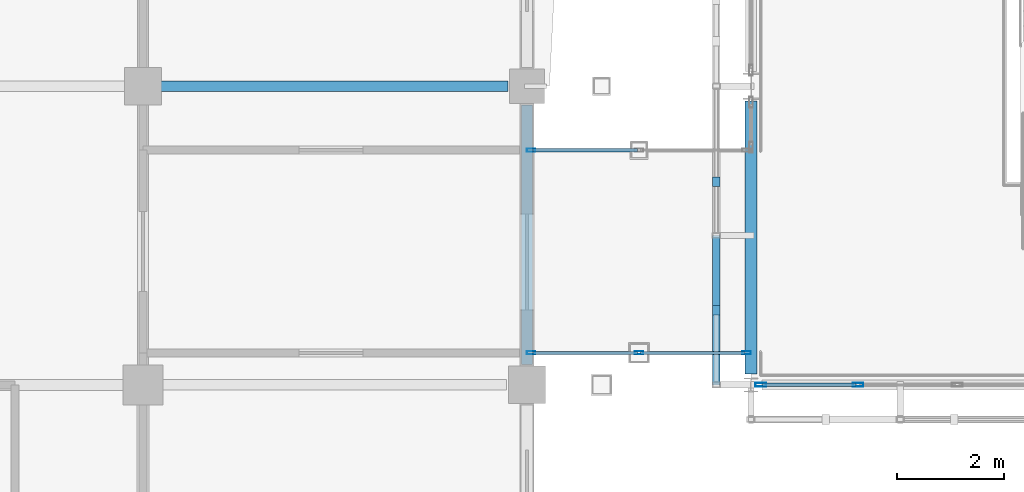
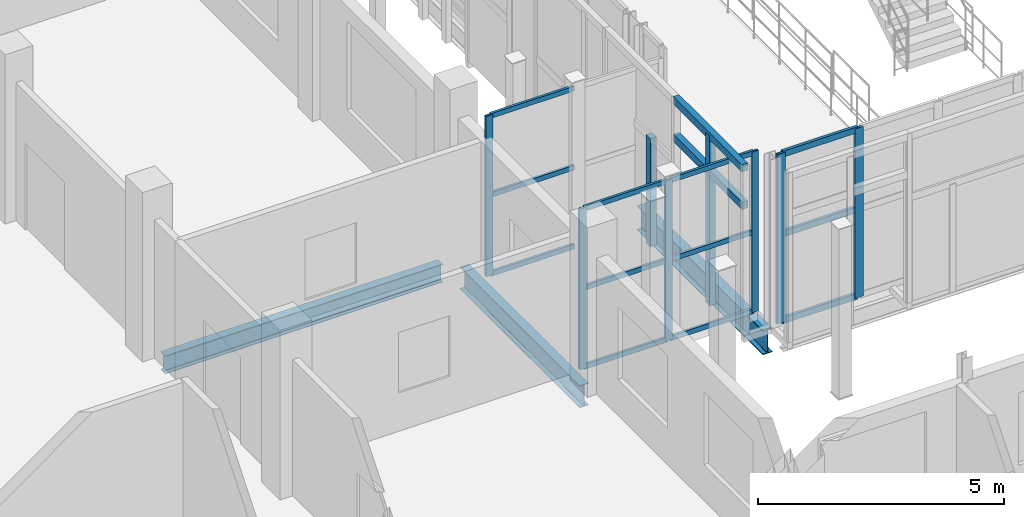
# One storey, part 29 of 121: 22 members, 3 beams, 3 elements without a shape of their own.
"""IFC4 building model written with IfcOpenShell, lengths in metres."""

import ifcopenshell
import ifcopenshell.guid

model = None  # the IFC model being written
_history = None  # IfcOwnerHistory: only IFC2X3 demands one
_inside = {}  # id of a spatial element -> (the spatial element, [elements in it])
_under = {}  # id of a project, library or spatial element -> (it, [spatial elements below it])
_declared = {}  # id of a project -> (the project, [libraries it declares])
_typed = {}  # id of a type object -> (the type object, [elements of that type])
_made_of = {}  # id of a material, layer set ... -> (it, [elements and type objects made of it])


def new_model(schema):
    """Start an empty IFC model of exactly this schema.

    Asked for "IFC4X3", IfcOpenShell would pick the latest addendum, in which some entities
    have other attributes; the version numbers below select the first issue.
    IFC2X3 requires an IfcOwnerHistory on every rooted entity: one is made here for all.
    """
    global model, _history
    if schema == "IFC4X3":
        model = ifcopenshell.file(schema_version=(4, 3, 0, 0))
    else:
        model = ifcopenshell.file(schema=schema)
    _inside.clear()
    _under.clear()
    _declared.clear()
    _typed.clear()
    _made_of.clear()
    _history = None
    if model.schema == "IFC2X3":
        org = make("IfcOrganization", Name="unknown")
        user = make(
            "IfcPersonAndOrganization",
            ThePerson=make("IfcPerson", FamilyName="unknown"),
            TheOrganization=org,
        )
        app = make(
            "IfcApplication",
            ApplicationDeveloper=org,
            Version="unknown",
            ApplicationFullName="unknown",
            ApplicationIdentifier="unknown",
        )
        _history = make(
            "IfcOwnerHistory",
            OwningUser=user,
            OwningApplication=app,
            ChangeAction="ADDED",
            CreationDate=0,
        )
    return model


def make(cls, **values):
    """One entity of the class cls with the attributes given. An attribute that is None is left unset."""
    return model.create_entity(
        cls, **{name: value for name, value in values.items() if value is not None}
    )


def rooted(cls, **values):
    """An entity with a GlobalId (a new one), such as an element, a storey or a relation."""
    return make(cls, GlobalId=ifcopenshell.guid.new(), OwnerHistory=_history, **values)


def si_unit(unit_type, name, prefix=None):
    """IfcSIUnit, for example si_unit("LENGTHUNIT", "METRE", prefix="MILLI")."""
    return make("IfcSIUnit", UnitType=unit_type, Prefix=prefix, Name=name)


def assignment(units):
    """IfcUnitAssignment: the units of a project."""
    return None if units is None else make("IfcUnitAssignment", Units=units)


def point(xyz):
    """IfcCartesianPoint."""
    return None if xyz is None else make("IfcCartesianPoint", Coordinates=xyz)


def direction(xyz):
    """IfcDirection."""
    return None if xyz is None else make("IfcDirection", DirectionRatios=xyz)


def frame(location, z_axis=None, x_axis=None):
    """IfcAxis2Placement3D, a coordinate frame: its origin and axes. An axis left out is left unset."""
    return make(
        "IfcAxis2Placement3D",
        Location=point(location),
        Axis=direction(z_axis),
        RefDirection=direction(x_axis),
    )


def frame_2d(location, x_axis=None):
    """IfcAxis2Placement2D, a coordinate frame in the plane: its origin and x axis."""
    return make(
        "IfcAxis2Placement2D", Location=point(location), RefDirection=direction(x_axis)
    )


def origin():
    """The frame at (0, 0, 0) with its axes left unset."""
    return frame((0.0, 0.0, 0.0))


def origin_2d():
    """The frame at (0, 0) in the plane with its x axis left unset."""
    return frame_2d((0.0, 0.0))


def place(relative_to, where):
    """IfcLocalPlacement: puts the frame where relative to a parent placement (None: the world)."""
    return make(
        "IfcLocalPlacement", PlacementRelTo=relative_to, RelativePlacement=where
    )


def context(
    kind, dimensions, precision=None, world=None, true_north=None, identifier=None
):
    """IfcGeometricRepresentationContext, for example the 3D "Model" context."""
    return make(
        "IfcGeometricRepresentationContext",
        ContextIdentifier=identifier,
        ContextType=kind,
        CoordinateSpaceDimension=dimensions,
        Precision=precision,
        WorldCoordinateSystem=world,
        TrueNorth=true_north,
    )


def subcontext(parent, identifier, kind, view, scale=None):
    """IfcGeometricRepresentationSubContext, for example "Body" below "Model"."""
    return make(
        "IfcGeometricRepresentationSubContext",
        ContextIdentifier=identifier,
        ContextType=kind,
        ParentContext=parent,
        TargetScale=scale,
        TargetView=view,
    )


def project(units=None, contexts=None):
    """IfcProject with its units and contexts."""
    return rooted(
        "IfcProject",
        Name="project",
        RepresentationContexts=contexts,
        UnitsInContext=assignment(units),
    )


def spatial(cls, under=None, at=None, **own):
    """A site, building, storey or space (cls), placed at a placement, below another one or the project."""
    s = rooted(cls, ObjectPlacement=at, **own)
    if under is not None:
        _under.setdefault(under.id(), (under, []))[1].append(s)
    return s


def profile(cls, at=None, kind="AREA", **sizes):
    """A parametric profile (cls). Its sizes go by their IFC names, for example OverallWidth=200.0."""
    return make(cls, ProfileType=kind, Position=at, **sizes)


def rectangle(**sizes):
    """IfcRectangleProfileDef."""
    return profile("IfcRectangleProfileDef", **sizes)


def hollow_rectangle(**sizes):
    """IfcRectangleHollowProfileDef."""
    return profile("IfcRectangleHollowProfileDef", **sizes)


def i_section(**sizes):
    """IfcIShapeProfileDef."""
    return profile("IfcIShapeProfileDef", **sizes)


def extrude(swept, where, along, depth):
    """IfcExtrudedAreaSolid: the profile swept, set in the frame where, extruded along a direction by depth."""
    return make(
        "IfcExtrudedAreaSolid",
        SweptArea=swept,
        Position=where,
        ExtrudedDirection=direction(along),
        Depth=depth,
    )


def shape(context_of_items, identifier, shape_type, items):
    """IfcShapeRepresentation: the items that make up one representation, for example the "Body"."""
    return make(
        "IfcShapeRepresentation",
        ContextOfItems=context_of_items,
        RepresentationIdentifier=identifier,
        RepresentationType=shape_type,
        Items=items,
    )


def material(Name=None, Category=None):
    """IfcMaterial."""
    return make("IfcMaterial", Name=Name, Category=Category)


def layer(
    of_material, thickness, ventilated=None, Name=None, Category=None, Priority=None
):
    """IfcMaterialLayer: one layer of a wall or slab, of a material (None: an air gap)."""
    return make(
        "IfcMaterialLayer",
        Material=of_material,
        LayerThickness=thickness,
        IsVentilated=ventilated,
        Name=Name,
        Category=Category,
        Priority=Priority,
    )


def layer_set(layers, Name=None):
    """IfcMaterialLayerSet."""
    return make("IfcMaterialLayerSet", MaterialLayers=layers, LayerSetName=Name)


def material_profile(
    of_material, cross_section, Name=None, Category=None, Priority=None
):
    """IfcMaterialProfile: a cross section and its material."""
    return make(
        "IfcMaterialProfile",
        Name=Name,
        Material=of_material,
        Profile=cross_section,
        Priority=Priority,
        Category=Category,
    )


def profile_set(profiles, Name=None, composite=None):
    """IfcMaterialProfileSet."""
    return make(
        "IfcMaterialProfileSet",
        Name=Name,
        MaterialProfiles=profiles,
        CompositeProfile=composite,
    )


def made_of(thing, what):
    """Note that an element or type object is made of a material, layer set ...; save() writes the relation."""
    if what is not None:
        _made_of.setdefault(what.id(), (what, []))[1].append(thing)
    return thing


def type_object(cls, material=None, **own):
    """A type object (cls), such as IfcWallType, which elements share."""
    return made_of(rooted(cls, **own), material)


def element(
    cls,
    number,
    at=None,
    inside=None,
    cuts=None,
    type_object=None,
    material=None,
    context=None,
    identifier="Body",
    shape_type=None,
    held_by="IfcProductDefinitionShape",
    body=None,
    shapes=None,
    **own,
):
    """One element of the class cls, such as IfcWall. Its Tag is "e" and its number.

    at: its placement. inside: the storey or other place that contains it. cuts: it is an
    opening in that element (IfcRelVoidsElement). A single representation is given by context,
    identifier, shape_type and body (its items); several are given by shapes. held_by: the class
    of the entity that holds the representations. save() writes the other relations.
    """
    e = rooted(cls, Tag="e%d" % number, ObjectPlacement=at, **own)
    if body is not None:
        shapes = [shape(context, identifier, shape_type, body)]
    if shapes is not None:
        e.Representation = make(held_by, Representations=shapes)
    if inside is not None:
        _inside.setdefault(inside.id(), (inside, []))[1].append(e)
    if cuts is not None:
        rooted(
            "IfcRelVoidsElement", RelatingBuildingElement=cuts, RelatedOpeningElement=e
        )
    if type_object is not None:
        _typed.setdefault(type_object.id(), (type_object, []))[1].append(e)
    return made_of(e, material)


def aggregate(whole, parts):
    """IfcRelAggregates: a whole, such as a stair, and the parts it consists of."""
    return rooted("IfcRelAggregates", RelatingObject=whole, RelatedObjects=parts)


def save(model, path):
    """Write the relations noted so far, then the file.

    IfcRelAggregates (storeys below a building ...), IfcRelContainedInSpatialStructure (elements
    in a storey), IfcRelDefinesByType, IfcRelAssociatesMaterial and IfcRelDeclares: one each for
    every whole, place, type object, material and project.
    """
    for whole, parts in _under.values():
        aggregate(whole, parts)
    for where, things in _inside.values():
        rooted(
            "IfcRelContainedInSpatialStructure",
            RelatedElements=things,
            RelatingStructure=where,
        )
    for kind, things in _typed.values():
        rooted("IfcRelDefinesByType", RelatedObjects=things, RelatingType=kind)
    for what, things in _made_of.values():
        rooted("IfcRelAssociatesMaterial", RelatedObjects=things, RelatingMaterial=what)
    for by, libraries in _declared.values():
        rooted("IfcRelDeclares", RelatingContext=by, RelatedDefinitions=libraries)
    model.write(path)


model = new_model("IFC4")

# Units and contexts
model_context = context("Model", 3, precision=1e-05, world=origin(), true_north=direction((0.0, 1.0)))
body_context = subcontext(model_context, "Body", "Model", "MODEL_VIEW")
ifc_project = project(units=[si_unit("LENGTHUNIT", "METRE"), si_unit("AREAUNIT", "SQUARE_METRE"), si_unit("VOLUMEUNIT", "CUBIC_METRE"), si_unit("PLANEANGLEUNIT", "RADIAN"), si_unit("MASSUNIT", "GRAM", prefix="KILO")], contexts=[model_context])

# Site, building, storey
site_placement = place(None, origin())
site = spatial("IfcSite", under=ifc_project, at=site_placement, CompositionType="ELEMENT")
building_placement = place(site_placement, origin())
building = spatial("IfcBuilding", under=site, at=building_placement, Name="Vinh Khe Railworks Police Headquarters", CompositionType="ELEMENT")
storey_placement = place(building_placement, frame((0.0, 0.0, 4.800048828125)))
storey = spatial("IfcBuildingStorey", under=building, at=storey_placement, Name="L01", CompositionType="ELEMENT", Elevation=4.800048828125)

# Members
ifc_material_1 = material(Name="Salvaged ironwood timber", Category="wood")
ifc_material_profile_1 = material_profile(ifc_material_1, rectangle(XDim=0.139892578125, YDim=0.179931640625, at=origin_2d()), Name="TIMBER 140x180")
ifc_profile_set_1 = profile_set([ifc_material_profile_1], Name="Salvaged ironwood timber")
member_type_1 = type_object("IfcMemberType", Name="MEM-QUILT-STILE", PredefinedType="CHORD", material=ifc_profile_set_1)
for number, where, z_axis, x_axis, name in (
    (1, (25.75, 25.199951171875, 4.119873046875), (0.0, 1.0, 0.0), (-1.0, 0.0, 0.0), "Salvaged Timber Quilt Transom W-L01-00-TOP"),
    (2, (25.75, 25.199951171875, 3.19189453125), (0.0, 1.0, 0.0), (-1.0, 0.0, 0.0), "Salvaged Timber Quilt Transom W-L01-00-M1"),
):
    element("IfcMember", number, at=place(storey_placement, frame(where, z_axis=z_axis, x_axis=x_axis)), inside=storey, type_object=member_type_1, Name=name, PredefinedType="CHORD", context=body_context, shape_type="SweptSolid", body=[
        extrude(rectangle(XDim=0.139892578125, YDim=0.179931640625, at=origin_2d()), origin(), (0.0, 0.0, 1.0), 2.800048828125),
    ])
member_1_placement = place(storey_placement, frame((25.75, 26.60009765625, -0.080078125), z_axis=(0.0, 0.0, 1.0), x_axis=(1.0, 0.0, 0.0)))
element("IfcMember", 3, at=member_1_placement, inside=storey, type_object=member_type_1, Name="Salvaged Timber Quilt Stile W-L01-00-V1", PredefinedType="POST", context=body_context, shape_type="SweptSolid", body=[
    extrude(rectangle(XDim=0.139892578125, YDim=0.179931640625, at=origin_2d()), origin(), (0.0, 0.0, 1.0), 4.199951171875),
])
member_2_placement = place(storey_placement, frame((25.75, 29.008056640625, -0.080078125), z_axis=(0.0, 0.0, 1.0), x_axis=(1.0, 0.0, 0.0)))
element("IfcMember", 4, at=member_2_placement, inside=storey, type_object=member_type_1, Name="Salvaged Timber Quilt Stile W-L01-01-V1", PredefinedType="POST", context=body_context, shape_type="SweptSolid", body=[
    extrude(rectangle(XDim=0.139892578125, YDim=0.179931640625, at=origin_2d()), origin(), (0.0, 0.0, 1.0), 2.68408203125),
])

# Curtain wall, members
ifc_material_2 = material(Name="Anodised aluminium and solar-control glass", Category="aluminium")
ifc_layer_1 = layer(ifc_material_2, 0.159912109375)
ifc_layer_set_1 = layer_set([ifc_layer_1], Name="Anodised aluminium and solar-control glass")
curtain_wall_type_1 = type_object("IfcCurtainWallType", Name="CW-SHOPFRONT", PredefinedType="USERDEFINED", material=ifc_layer_set_1)
curtain_wall_1_placement = place(storey_placement, origin())
curtain_wall_1 = element("IfcCurtainWall", 5, at=curtain_wall_1_placement, inside=storey, type_object=curtain_wall_type_1, Name="Atrium Stair Link Glazing L01-S", ObjectType="UNITISED GLAZING", PredefinedType="USERDEFINED")
ifc_material_3 = material(Name="Anodised aluminium 6063-T6", Category="aluminium")
ifc_material_profile_2 = material_profile(ifc_material_3, hollow_rectangle(XDim=0.06005859375, YDim=0.159912109375, WallThickness=0.00390625, at=origin_2d()), Name="CW-M 60x160x4")
ifc_profile_set_2 = profile_set([ifc_material_profile_2], Name="Anodised aluminium 6063-T6")
member_type_2 = type_object("IfcMemberType", Name="MULL-CWM-01", PredefinedType="MULLION", material=ifc_profile_set_2)
member_3_placement = place(storey_placement, frame((22.280029296875, 25.800048828125, 0.0), z_axis=(0.0, 0.0, 1.0), x_axis=(0.0, 1.0, 0.0)))
member_3 = element("IfcMember", 6, at=member_3_placement, type_object=member_type_2, Name="CW-03 mullion 1", PredefinedType="MULLION", context=body_context, shape_type="SweptSolid", body=[
    extrude(hollow_rectangle(XDim=0.06005859375, YDim=0.159912109375, WallThickness=0.00390625, at=origin_2d()), origin(), (0.0, 0.0, 1.0), 3.97998046875),
])
member_4_placement = place(storey_placement, frame((24.300048828125, 25.800048828125, 0.0), z_axis=(0.0, 0.0, 1.0), x_axis=(0.0, 1.0, 0.0)))
member_4 = element("IfcMember", 7, at=member_4_placement, type_object=member_type_2, Name="CW-03 mullion 2", PredefinedType="MULLION", context=body_context, shape_type="SweptSolid", body=[
    extrude(hollow_rectangle(XDim=0.06005859375, YDim=0.159912109375, WallThickness=0.00390625, at=origin_2d()), origin(), (0.0, 0.0, 1.0), 3.97998046875),
])
member_5_placement = place(storey_placement, frame((26.320068359375, 25.800048828125, 0.0), z_axis=(0.0, 0.0, 1.0), x_axis=(0.0, 1.0, 0.0)))
member_5 = element("IfcMember", 8, at=member_5_placement, type_object=member_type_2, Name="CW-03 mullion 3", PredefinedType="MULLION", context=body_context, shape_type="SweptSolid", body=[
    extrude(hollow_rectangle(XDim=0.06005859375, YDim=0.159912109375, WallThickness=0.00390625, at=origin_2d()), origin(), (0.0, 0.0, 1.0), 3.97998046875),
])

# Curtain wall, member
curtain_wall_2_placement = place(storey_placement, origin())
curtain_wall_2 = element("IfcCurtainWall", 9, at=curtain_wall_2_placement, inside=storey, type_object=curtain_wall_type_1, Name="Atrium Stair Link Glazing L01-N", ObjectType="UNITISED GLAZING", PredefinedType="USERDEFINED")
member_6_placement = place(storey_placement, frame((22.280029296875, 29.60009765625, 0.0), z_axis=(0.0, 0.0, 1.0), x_axis=(0.0, 1.0, 0.0)))
member_6 = element("IfcMember", 10, at=member_6_placement, type_object=member_type_2, Name="CW-03 mullion 1", PredefinedType="MULLION", context=body_context, shape_type="SweptSolid", body=[
    extrude(hollow_rectangle(XDim=0.06005859375, YDim=0.159912109375, WallThickness=0.00390625, at=origin_2d()), origin(), (0.0, 0.0, 1.0), 3.97998046875),
])

# Curtain wall, members
ifc_material_4 = material(Name="Anodised aluminium and low-iron glass", Category="aluminium")
ifc_layer_2 = layer(ifc_material_4, 0.179931640625)
ifc_layer_set_2 = layer_set([ifc_layer_2], Name="Anodised aluminium and low-iron glass")
curtain_wall_type_2 = type_object("IfcCurtainWallType", Name="CW-CUBE-UNIT", PredefinedType="USERDEFINED", material=ifc_layer_set_2)
curtain_wall_3_placement = place(storey_placement, origin())
curtain_wall_3 = element("IfcCurtainWall", 11, at=curtain_wall_3_placement, inside=storey, type_object=curtain_wall_type_2, Name="Entrance Hall Curtain Wall L01 S-1", ObjectType="UNITISED GLAZING", PredefinedType="USERDEFINED")
ifc_material_profile_3 = material_profile(ifc_material_3, hollow_rectangle(XDim=0.070068359375, YDim=0.199951171875, WallThickness=0.0048828125, at=origin_2d()), Name="CW-M 70x200x5")
ifc_profile_set_3 = profile_set([ifc_material_profile_3], Name="Anodised aluminium 6063-T6")
member_type_3 = type_object("IfcMemberType", Name="MULL-CWM-03", PredefinedType="MULLION", material=ifc_profile_set_3)
member_7_placement = place(storey_placement, frame((26.5849609375, 25.199951171875, 0.0), z_axis=(0.0, 0.0, 1.0), x_axis=(0.0, 1.0, 0.0)))
member_7 = element("IfcMember", 12, at=member_7_placement, type_object=member_type_3, Name="CW-01 mullion 1", PredefinedType="MULLION", context=body_context, shape_type="SweptSolid", body=[
    extrude(hollow_rectangle(XDim=0.070068359375, YDim=0.199951171875, WallThickness=0.0048828125, at=origin_2d()), origin(), (0.0, 0.0, 1.0), 4.199951171875),
])
member_8_placement = place(storey_placement, frame((28.40869140625, 25.199951171875, 0.0), z_axis=(0.0, 0.0, 1.0), x_axis=(0.0, 1.0, 0.0)))
member_8 = element("IfcMember", 13, at=member_8_placement, type_object=member_type_3, Name="CW-01 mullion 2", PredefinedType="MULLION", context=body_context, shape_type="SweptSolid", body=[
    extrude(hollow_rectangle(XDim=0.070068359375, YDim=0.199951171875, WallThickness=0.0048828125, at=origin_2d()), origin(), (0.0, 0.0, 1.0), 4.199951171875),
])

# Beams
ifc_material_5 = material(Name="Steel S355JR", Category="steel")
ifc_material_profile_4 = material_profile(ifc_material_5, i_section(OverallWidth=0.18994140625, OverallDepth=0.449951171875, WebThickness=0.009521484375, FlangeThickness=0.0146484375, FilletRadius=0.02099609375, at=origin_2d()), Name="IPE 450")
ifc_profile_set_4 = profile_set([ifc_material_profile_4], Name="Steel S355JR")
beam_type_1 = type_object("IfcBeamType", Name="Steel Girder IPE 450", PredefinedType="BEAM", material=ifc_profile_set_4)
beam_1_placement = place(storey_placement, frame((15.330078125, 30.800048828125, -0.465087890625), z_axis=(1.0, 0.0, 0.0), x_axis=(0.0, 1.0, 0.0)))
element("IfcBeam", 14, at=beam_1_placement, inside=storey, type_object=beam_type_1, Name="Girder BM-L01-EW-SB-20-0444", PredefinedType="BEAM", context=body_context, shape_type="SweptSolid", body=[
    extrude(i_section(OverallWidth=0.18994140625, OverallDepth=0.449951171875, WebThickness=0.009521484375, FlangeThickness=0.0146484375, FilletRadius=0.02099609375, at=origin_2d()), origin(), (0.0, 0.0, 1.0), 6.514892578125),
])
ifc_material_profile_5 = material_profile(ifc_material_5, i_section(OverallWidth=0.2099609375, OverallDepth=0.550048828125, WebThickness=0.010986328125, FlangeThickness=0.01708984375, FilletRadius=0.02392578125, at=origin_2d()), Name="IPE 550")
ifc_profile_set_5 = profile_set([ifc_material_profile_5], Name="Steel S355JR")
beam_type_2 = type_object("IfcBeamType", Name="Steel Girder IPE 550", PredefinedType="BEAM", material=ifc_profile_set_5)
beam_2_placement = place(storey_placement, frame((22.199951171875, 25.580078125, -0.51513671875), z_axis=(0.0, 1.0, 0.0), x_axis=(-1.0, 0.0, 0.0)))
element("IfcBeam", 15, at=beam_2_placement, inside=storey, type_object=beam_type_2, Name="Girder BM-L01-NS-SB-18-0616", PredefinedType="BEAM", context=body_context, shape_type="SweptSolid", body=[
    extrude(i_section(OverallWidth=0.2099609375, OverallDepth=0.550048828125, WebThickness=0.010986328125, FlangeThickness=0.01708984375, FilletRadius=0.02392578125, at=origin_2d()), origin(), (0.0, 0.0, 1.0), 4.864990234375),
])
ifc_material_profile_6 = material_profile(ifc_material_5, i_section(OverallWidth=0.219970703125, OverallDepth=0.60009765625, WebThickness=0.011962890625, FlangeThickness=0.01904296875, FilletRadius=0.02392578125, at=origin_2d()), Name="IPE 600")
ifc_profile_set_6 = profile_set([ifc_material_profile_6], Name="Steel S355JR")
beam_type_3 = type_object("IfcBeamType", Name="Steel Girder IPE 600", PredefinedType="BEAM", material=ifc_profile_set_6)
beam_3_placement = place(storey_placement, frame((26.39990234375, 25.405029296875, -0.5400390625), z_axis=(0.0, 1.0, 0.0), x_axis=(-1.0, 0.0, 0.0)))
element("IfcBeam", 16, at=beam_3_placement, inside=storey, type_object=beam_type_3, Name="Girder BM-L01-NS-SB-17-0633", PredefinedType="BEAM", context=body_context, shape_type="SweptSolid", body=[
    extrude(i_section(OverallWidth=0.219970703125, OverallDepth=0.60009765625, WebThickness=0.011962890625, FlangeThickness=0.01904296875, FilletRadius=0.02392578125, at=origin_2d()), origin(), (0.0, 0.0, 1.0), 5.114990234375),
])

# Member
ifc_material_profile_7 = material_profile(ifc_material_3, hollow_rectangle(XDim=0.06005859375, YDim=0.1201171875, WallThickness=0.00390625, at=origin_2d()), Name="CW-T 60x120x4")
ifc_profile_set_7 = profile_set([ifc_material_profile_7], Name="Anodised aluminium 6063-T6")
member_type_4 = type_object("IfcMemberType", Name="TRAN-CWT-01", PredefinedType="USERDEFINED", material=ifc_profile_set_7)
member_9_placement = place(storey_placement, frame((22.31005859375, 25.800048828125, 0.030029296875), z_axis=(1.0, 0.0, 0.0), x_axis=(0.0, 1.0, 0.0)))
member_9 = element("IfcMember", 17, at=member_9_placement, type_object=member_type_4, Name="CW-03 transom 1.1", ObjectType="TRANSOM", PredefinedType="USERDEFINED", context=body_context, shape_type="SweptSolid", body=[
    extrude(hollow_rectangle(XDim=0.06005859375, YDim=0.1201171875, WallThickness=0.00390625, at=origin_2d()), origin(), (0.0, 0.0, 1.0), 1.9599609375),
])

member_10_placement = place(storey_placement, frame((22.31005859375, 25.800048828125, 1.989990234375), z_axis=(1.0, 0.0, 0.0), x_axis=(0.0, 1.0, 0.0)))
member_10 = element("IfcMember", 18, at=member_10_placement, type_object=member_type_4, Name="CW-03 transom 1.2", ObjectType="TRANSOM", PredefinedType="USERDEFINED", context=body_context, shape_type="SweptSolid", body=[
    extrude(hollow_rectangle(XDim=0.06005859375, YDim=0.1201171875, WallThickness=0.00390625, at=origin_2d()), origin(), (0.0, 0.0, 1.0), 1.9599609375),
])

member_11_placement = place(storey_placement, frame((22.31005859375, 25.800048828125, 3.949951171875), z_axis=(1.0, 0.0, 0.0), x_axis=(0.0, 1.0, 0.0)))
member_11 = element("IfcMember", 19, at=member_11_placement, type_object=member_type_4, Name="CW-03 transom 1.3", ObjectType="TRANSOM", PredefinedType="USERDEFINED", context=body_context, shape_type="SweptSolid", body=[
    extrude(hollow_rectangle(XDim=0.06005859375, YDim=0.1201171875, WallThickness=0.00390625, at=origin_2d()), origin(), (0.0, 0.0, 1.0), 1.9599609375),
])

member_12_placement = place(storey_placement, frame((24.330078125, 25.800048828125, 0.030029296875), z_axis=(1.0, 0.0, 0.0), x_axis=(0.0, 1.0, 0.0)))
member_12 = element("IfcMember", 20, at=member_12_placement, type_object=member_type_4, Name="CW-03 transom 2.1", ObjectType="TRANSOM", PredefinedType="USERDEFINED", context=body_context, shape_type="SweptSolid", body=[
    extrude(hollow_rectangle(XDim=0.06005859375, YDim=0.1201171875, WallThickness=0.00390625, at=origin_2d()), origin(), (0.0, 0.0, 1.0), 1.9599609375),
])

member_13_placement = place(storey_placement, frame((24.330078125, 25.800048828125, 1.989990234375), z_axis=(1.0, 0.0, 0.0), x_axis=(0.0, 1.0, 0.0)))
member_13 = element("IfcMember", 21, at=member_13_placement, type_object=member_type_4, Name="CW-03 transom 2.2", ObjectType="TRANSOM", PredefinedType="USERDEFINED", context=body_context, shape_type="SweptSolid", body=[
    extrude(hollow_rectangle(XDim=0.06005859375, YDim=0.1201171875, WallThickness=0.00390625, at=origin_2d()), origin(), (0.0, 0.0, 1.0), 1.9599609375),
])

member_14_placement = place(storey_placement, frame((24.330078125, 25.800048828125, 3.949951171875), z_axis=(1.0, 0.0, 0.0), x_axis=(0.0, 1.0, 0.0)))
member_14 = element("IfcMember", 22, at=member_14_placement, type_object=member_type_4, Name="CW-03 transom 2.3", ObjectType="TRANSOM", PredefinedType="USERDEFINED", context=body_context, shape_type="SweptSolid", body=[
    extrude(hollow_rectangle(XDim=0.06005859375, YDim=0.1201171875, WallThickness=0.00390625, at=origin_2d()), origin(), (0.0, 0.0, 1.0), 1.9599609375),
])

aggregate(curtain_wall_1, [member_3, member_4, member_5, member_9, member_10, member_11, member_12, member_13, member_14])

member_15_placement = place(storey_placement, frame((22.31005859375, 29.60009765625, 0.030029296875), z_axis=(1.0, 0.0, 0.0), x_axis=(0.0, 1.0, 0.0)))
member_15 = element("IfcMember", 23, at=member_15_placement, type_object=member_type_4, Name="CW-03 transom 1.1", ObjectType="TRANSOM", PredefinedType="USERDEFINED", context=body_context, shape_type="SweptSolid", body=[
    extrude(hollow_rectangle(XDim=0.06005859375, YDim=0.1201171875, WallThickness=0.00390625, at=origin_2d()), origin(), (0.0, 0.0, 1.0), 1.9599609375),
])

member_16_placement = place(storey_placement, frame((22.31005859375, 29.60009765625, 1.989990234375), z_axis=(1.0, 0.0, 0.0), x_axis=(0.0, 1.0, 0.0)))
member_16 = element("IfcMember", 24, at=member_16_placement, type_object=member_type_4, Name="CW-03 transom 1.2", ObjectType="TRANSOM", PredefinedType="USERDEFINED", context=body_context, shape_type="SweptSolid", body=[
    extrude(hollow_rectangle(XDim=0.06005859375, YDim=0.1201171875, WallThickness=0.00390625, at=origin_2d()), origin(), (0.0, 0.0, 1.0), 1.9599609375),
])

member_17_placement = place(storey_placement, frame((22.31005859375, 29.60009765625, 3.949951171875), z_axis=(1.0, 0.0, 0.0), x_axis=(0.0, 1.0, 0.0)))
member_17 = element("IfcMember", 25, at=member_17_placement, type_object=member_type_4, Name="CW-03 transom 1.3", ObjectType="TRANSOM", PredefinedType="USERDEFINED", context=body_context, shape_type="SweptSolid", body=[
    extrude(hollow_rectangle(XDim=0.06005859375, YDim=0.1201171875, WallThickness=0.00390625, at=origin_2d()), origin(), (0.0, 0.0, 1.0), 1.9599609375),
])

aggregate(curtain_wall_2, [member_6, member_15, member_16, member_17])

ifc_material_profile_8 = material_profile(ifc_material_3, hollow_rectangle(XDim=0.070068359375, YDim=0.14990234375, WallThickness=0.0048828125, at=origin_2d()), Name="CW-T 70x150x5")
ifc_profile_set_8 = profile_set([ifc_material_profile_8], Name="Anodised aluminium 6063-T6")
member_type_5 = type_object("IfcMemberType", Name="TRAN-CWT-03", PredefinedType="USERDEFINED", material=ifc_profile_set_8)
member_18_placement = place(storey_placement, frame((26.6201171875, 25.199951171875, 0.034912109375), z_axis=(1.0, 0.0, 0.0), x_axis=(0.0, 1.0, 0.0)))
member_18 = element("IfcMember", 26, at=member_18_placement, type_object=member_type_5, Name="CW-01 transom 1.1", ObjectType="TRANSOM", PredefinedType="USERDEFINED", context=body_context, shape_type="SweptSolid", body=[
    extrude(hollow_rectangle(XDim=0.070068359375, YDim=0.14990234375, WallThickness=0.0048828125, at=origin_2d()), origin(), (0.0, 0.0, 1.0), 1.753662109375),
])

member_19_placement = place(storey_placement, frame((26.6201171875, 25.199951171875, 2.183837890625), z_axis=(1.0, 0.0, 0.0), x_axis=(0.0, 1.0, 0.0)))
member_19 = element("IfcMember", 27, at=member_19_placement, type_object=member_type_5, Name="CW-01 transom 1.2", ObjectType="TRANSOM", PredefinedType="USERDEFINED", context=body_context, shape_type="SweptSolid", body=[
    extrude(hollow_rectangle(XDim=0.070068359375, YDim=0.14990234375, WallThickness=0.0048828125, at=origin_2d()), origin(), (0.0, 0.0, 1.0), 1.753662109375),
])

member_20_placement = place(storey_placement, frame((26.6201171875, 25.199951171875, 4.1650390625), z_axis=(1.0, 0.0, 0.0), x_axis=(0.0, 1.0, 0.0)))
member_20 = element("IfcMember", 28, at=member_20_placement, type_object=member_type_5, Name="CW-01 transom 1.3", ObjectType="TRANSOM", PredefinedType="USERDEFINED", context=body_context, shape_type="SweptSolid", body=[
    extrude(hollow_rectangle(XDim=0.070068359375, YDim=0.14990234375, WallThickness=0.0048828125, at=origin_2d()), origin(), (0.0, 0.0, 1.0), 1.753662109375),
])

aggregate(curtain_wall_3, [member_7, member_8, member_18, member_19, member_20])

save(model, "model.ifc")
